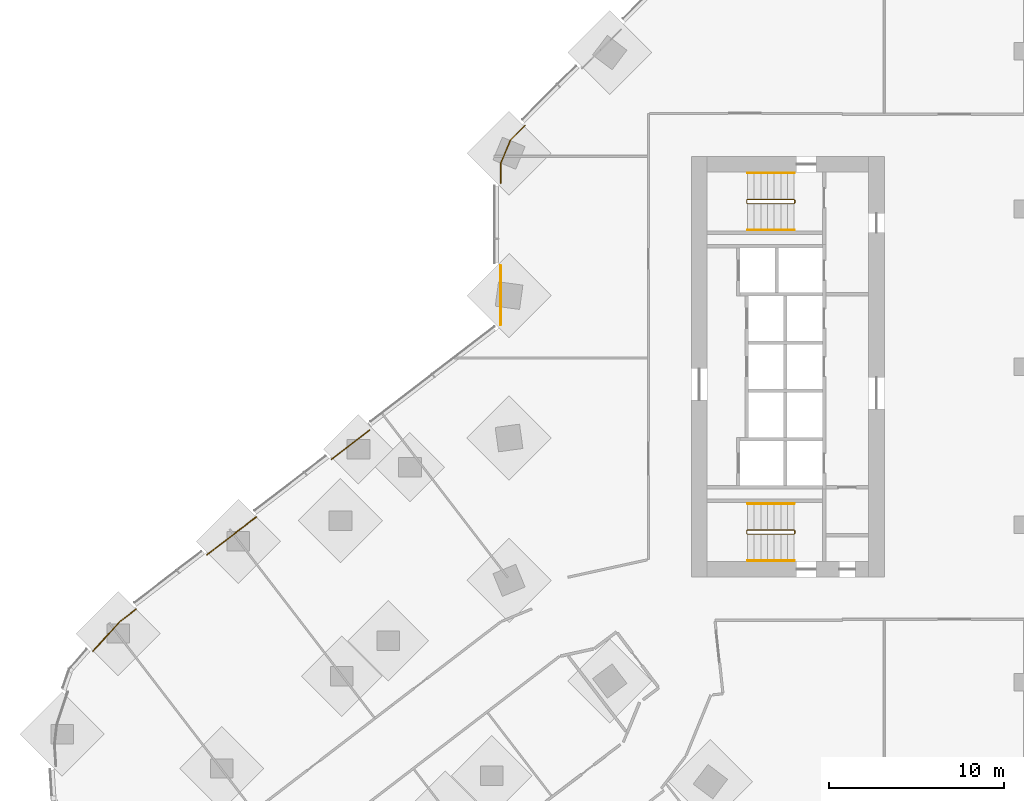
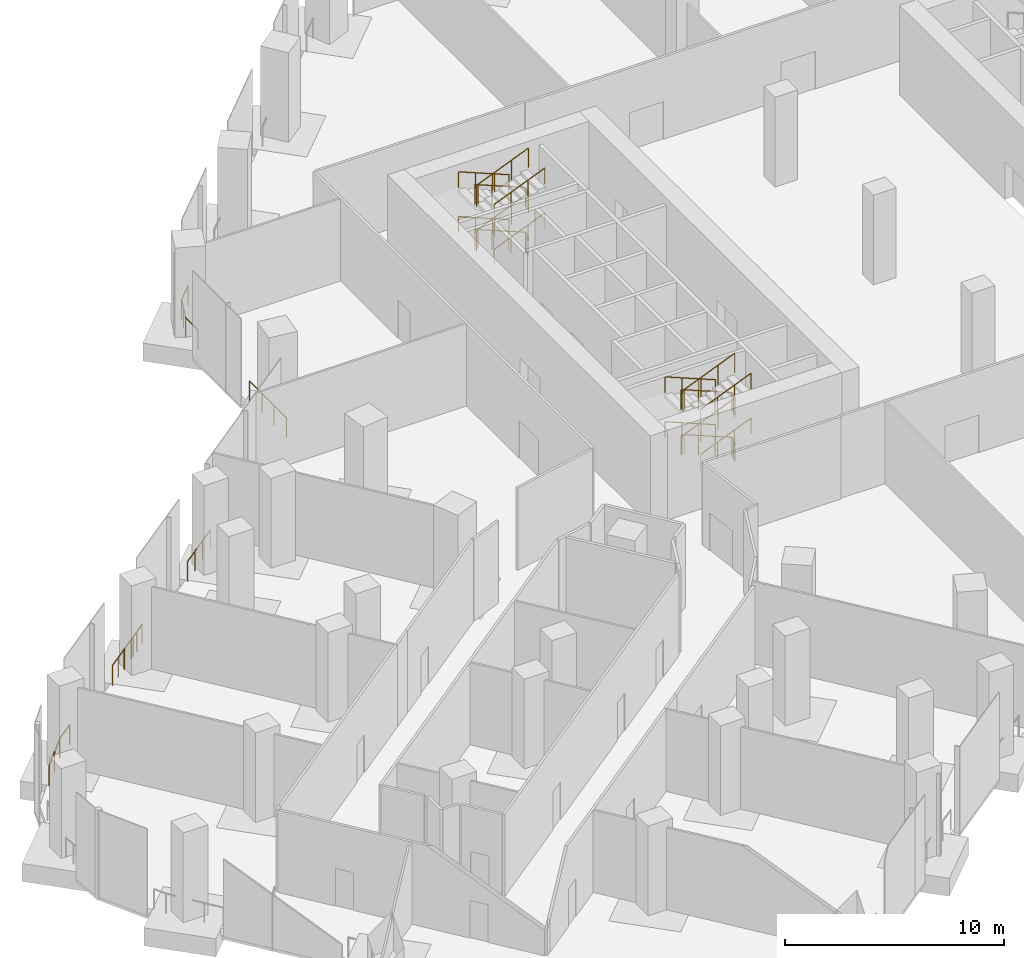
# One storey, part 25 of 27: 18 railings.
"""IFC4 building model written with IfcOpenShell, lengths in metres."""

from ifc_helpers import new_model, si_unit, direction, frame, origin, origin_2d, place, context, subcontext, project, spatial, circle, extrude, material, type_object, element, save


model = new_model("IFC4")

# Units and contexts
model_context = context("Model", 3, precision=1e-05, world=origin(), true_north=direction((0.0, 1.0)))
body_context = subcontext(model_context, "Body", "Model", "MODEL_VIEW")
ifc_project = project(units=[si_unit("LENGTHUNIT", "METRE"), si_unit("AREAUNIT", "SQUARE_METRE"), si_unit("VOLUMEUNIT", "CUBIC_METRE"), si_unit("PLANEANGLEUNIT", "RADIAN"), si_unit("MASSUNIT", "GRAM", prefix="KILO")], contexts=[model_context])

# Site, building, storey
site_placement = place(None, origin())
site = spatial("IfcSite", under=ifc_project, at=site_placement, CompositionType="ELEMENT")
building_placement = place(site_placement, origin())
building = spatial("IfcBuilding", under=site, at=building_placement, Name="Orlundy Tower", CompositionType="ELEMENT")
storey_placement = place(building_placement, frame((0.0, 0.0, 10.5)))
storey = spatial("IfcBuildingStorey", under=building, at=storey_placement, Name="L01", CompositionType="ELEMENT", Elevation=10.5)

# Railings
ifc_material_1 = material(Name="Steel balustrade", Category="steel")
railing_type_1 = type_object("IfcRailingType", Name="Stair Guard 1100", PredefinedType="GUARDRAIL", material=ifc_material_1)
railing_1_placement = place(storey_placement, frame((-13.090087890625, 9.5, 0.0)))
element("IfcRailing", 1, at=railing_1_placement, inside=storey, type_object=railing_type_1, Name="L01 ST-W1 stair guard 1", PredefinedType="GUARDRAIL", context=body_context, shape_type="SweptSolid", body=[
    extrude(circle(Radius=0.02392578125, at=origin_2d()), frame((0.0, 0.0, 1.076171875), z_axis=(0.0, -1.0, 0.0), x_axis=(1.0, 0.0, 0.0)), (0.0, 0.0, 1.0), 0.14990234375),
    extrude(circle(Radius=0.02392578125, at=origin_2d()), frame((0.0, -0.14990234375, 1.076171875), z_axis=(-0.192591976565, 0.773200141208, 0.604210122556), x_axis=(-0.970351222016, -0.241699205484, 0.0)), (0.0, 0.0, 1.0), 0.258544921875),
    extrude(circle(Radius=0.02392578125, at=origin_2d()), frame((-0.0498046875, 0.050048828125, 1.232421875), z_axis=(-0.924874861033, 0.0, 0.380271602187), x_axis=(0.0, -1.0, 0.0)), (0.0, 0.0, 1.0), 2.876220703125),
    extrude(circle(Radius=0.02392578125, at=origin_2d()), frame((-2.7099609375, 0.050048828125, 2.326171875), z_axis=(-0.707106781187, -0.707106781187, 0.0), x_axis=(0.707106781187, -0.707106781187, 0.0)), (0.0, 0.0, 1.0), 0.07080078125),
    extrude(circle(Radius=0.02392578125, at=origin_2d()), frame((-2.760009765625, 0.0, 2.326171875), z_axis=(0.0, -1.0, 0.0), x_axis=(1.0, 0.0, 0.0)), (0.0, 0.0, 1.0), 0.14990234375),
    extrude(circle(Radius=0.02392578125, at=origin_2d()), frame((-2.760009765625, -0.14990234375, 2.326171875), z_axis=(0.29177245553, -0.29177245553, 0.91089937336), x_axis=(0.707106781187, 0.707106781187, 0.0)), (0.0, 0.0, 1.0), 0.171630859375),
    extrude(circle(Radius=0.02392578125, at=origin_2d()), frame((-2.7099609375, -0.199951171875, 2.482421875), z_axis=(0.924874861033, 0.0, 0.380271602187), x_axis=(0.0, 1.0, 0.0)), (0.0, 0.0, 1.0), 2.876220703125),
    extrude(circle(Radius=0.02392578125, at=origin_2d()), frame((-0.0498046875, -0.199951171875, 3.576171875), z_axis=(0.241699205484, 0.970351222016, 0.0), x_axis=(-0.970351222016, 0.241699205484, 0.0)), (0.0, 0.0, 1.0), 0.2060546875),
    extrude(circle(Radius=0.02392578125, at=origin_2d()), frame((0.0, 0.0, 3.576171875), z_axis=(0.0, -1.0, 0.0), x_axis=(1.0, 0.0, 0.0)), (0.0, 0.0, 1.0), 0.14990234375),
    extrude(circle(Radius=0.02392578125, at=origin_2d()), frame((0.0, -0.14990234375, 3.576171875), z_axis=(-0.192591976565, 0.773200141208, 0.604210122556), x_axis=(-0.970351222016, -0.241699205484, 0.0)), (0.0, 0.0, 1.0), 0.258544921875),
    extrude(circle(Radius=0.02392578125, at=origin_2d()), frame((-0.0498046875, 0.050048828125, 3.732421875), z_axis=(-0.924874861033, 0.0, 0.380271602187), x_axis=(0.0, -1.0, 0.0)), (0.0, 0.0, 1.0), 2.876220703125),
    extrude(circle(Radius=0.02392578125, at=origin_2d()), frame((-2.7099609375, 0.050048828125, 4.826171875), z_axis=(-0.707106781187, -0.707106781187, 0.0), x_axis=(0.707106781187, -0.707106781187, 0.0)), (0.0, 0.0, 1.0), 0.07080078125),
    extrude(circle(Radius=0.02392578125, at=origin_2d()), frame((-2.760009765625, 0.0, 4.826171875), z_axis=(0.0, -1.0, 0.0), x_axis=(1.0, 0.0, 0.0)), (0.0, 0.0, 1.0), 0.14990234375),
    extrude(circle(Radius=0.02392578125, at=origin_2d()), frame((-2.760009765625, -0.14990234375, 4.826171875), z_axis=(0.29177245553, -0.29177245553, 0.91089937336), x_axis=(0.707106781187, 0.707106781187, 0.0)), (0.0, 0.0, 1.0), 0.171630859375),
    extrude(circle(Radius=0.02392578125, at=origin_2d()), frame((-2.7099609375, -0.199951171875, 4.982421875), z_axis=(0.924874861033, 0.0, 0.380271602187), x_axis=(0.0, 1.0, 0.0)), (0.0, 0.0, 1.0), 2.876220703125),
    extrude(circle(Radius=0.02099609375, at=origin_2d()), origin(), (0.0, 0.0, 1.0), 1.052001953125),
    extrude(circle(Radius=0.02099609375, at=origin_2d()), frame((0.0, -0.14990234375, 0.0)), (0.0, 0.0, 1.0), 1.052001953125),
    extrude(circle(Radius=0.02099609375, at=origin_2d()), frame((-0.0498046875, 0.050048828125, 0.15625)), (0.0, 0.0, 1.0), 1.052001953125),
    extrude(circle(Radius=0.02099609375, at=origin_2d()), frame((-0.9365234375, 0.050048828125, 0.520751953125)), (0.0, 0.0, 1.0), 1.052001953125),
    extrude(circle(Radius=0.02099609375, at=origin_2d()), frame((-1.8232421875, 0.050048828125, 0.885498046875)), (0.0, 0.0, 1.0), 1.052001953125),
    extrude(circle(Radius=0.02099609375, at=origin_2d()), frame((-2.7099609375, 0.050048828125, 1.25)), (0.0, 0.0, 1.0), 1.052001953125),
    extrude(circle(Radius=0.02099609375, at=origin_2d()), frame((-2.760009765625, 0.0, 1.25)), (0.0, 0.0, 1.0), 1.052001953125),
    extrude(circle(Radius=0.02099609375, at=origin_2d()), frame((-2.760009765625, -0.14990234375, 1.25)), (0.0, 0.0, 1.0), 1.052001953125),
    extrude(circle(Radius=0.02099609375, at=origin_2d()), frame((-2.7099609375, -0.199951171875, 1.40625)), (0.0, 0.0, 1.0), 1.052001953125),
    extrude(circle(Radius=0.02099609375, at=origin_2d()), frame((-1.8232421875, -0.199951171875, 1.770751953125)), (0.0, 0.0, 1.0), 1.052001953125),
    extrude(circle(Radius=0.02099609375, at=origin_2d()), frame((-0.9365234375, -0.199951171875, 2.135498046875)), (0.0, 0.0, 1.0), 1.052001953125),
    extrude(circle(Radius=0.02099609375, at=origin_2d()), frame((-0.0498046875, -0.199951171875, 2.5)), (0.0, 0.0, 1.0), 1.052001953125),
    extrude(circle(Radius=0.02099609375, at=origin_2d()), frame((0.0, 0.0, 2.5)), (0.0, 0.0, 1.0), 1.052001953125),
    extrude(circle(Radius=0.02099609375, at=origin_2d()), frame((0.0, -0.14990234375, 2.5)), (0.0, 0.0, 1.0), 1.052001953125),
    extrude(circle(Radius=0.02099609375, at=origin_2d()), frame((-0.0498046875, 0.050048828125, 2.65625)), (0.0, 0.0, 1.0), 1.052001953125),
    extrude(circle(Radius=0.02099609375, at=origin_2d()), frame((-0.9365234375, 0.050048828125, 3.020751953125)), (0.0, 0.0, 1.0), 1.052001953125),
    extrude(circle(Radius=0.02099609375, at=origin_2d()), frame((-1.8232421875, 0.050048828125, 3.385498046875)), (0.0, 0.0, 1.0), 1.052001953125),
    extrude(circle(Radius=0.02099609375, at=origin_2d()), frame((-2.7099609375, 0.050048828125, 3.75)), (0.0, 0.0, 1.0), 1.052001953125),
    extrude(circle(Radius=0.02099609375, at=origin_2d()), frame((-2.760009765625, 0.0, 3.75)), (0.0, 0.0, 1.0), 1.052001953125),
    extrude(circle(Radius=0.02099609375, at=origin_2d()), frame((-2.760009765625, -0.14990234375, 3.75)), (0.0, 0.0, 1.0), 1.052001953125),
    extrude(circle(Radius=0.02099609375, at=origin_2d()), frame((-2.7099609375, -0.199951171875, 3.90625)), (0.0, 0.0, 1.0), 1.052001953125),
    extrude(circle(Radius=0.02099609375, at=origin_2d()), frame((-1.8232421875, -0.199951171875, 4.270751953125)), (0.0, 0.0, 1.0), 1.052001953125),
    extrude(circle(Radius=0.02099609375, at=origin_2d()), frame((-0.9365234375, -0.199951171875, 4.635498046875)), (0.0, 0.0, 1.0), 1.052001953125),
    extrude(circle(Radius=0.02099609375, at=origin_2d()), frame((-0.0498046875, -0.199951171875, 5.0)), (0.0, 0.0, 1.0), 1.052001953125),
])
railing_2_placement = place(storey_placement, frame((-13.090087890625, -9.35009765625, 0.0)))
element("IfcRailing", 2, at=railing_2_placement, inside=storey, type_object=railing_type_1, Name="L01 ST-W2 stair guard 1", PredefinedType="GUARDRAIL", context=body_context, shape_type="SweptSolid", body=[
    extrude(circle(Radius=0.02392578125, at=origin_2d()), frame((0.0, 0.0, 1.076171875), z_axis=(0.0, -1.0, 0.0), x_axis=(1.0, 0.0, 0.0)), (0.0, 0.0, 1.0), 0.14990234375),
    extrude(circle(Radius=0.02392578125, at=origin_2d()), frame((0.0, -0.14990234375, 1.076171875), z_axis=(-0.192591976565, 0.773200141208, 0.604210122556), x_axis=(-0.970351222016, -0.241699205484, 0.0)), (0.0, 0.0, 1.0), 0.258544921875),
    extrude(circle(Radius=0.02392578125, at=origin_2d()), frame((-0.0498046875, 0.050048828125, 1.232421875), z_axis=(-0.924874861033, 0.0, 0.380271602187), x_axis=(0.0, -1.0, 0.0)), (0.0, 0.0, 1.0), 2.876220703125),
    extrude(circle(Radius=0.02392578125, at=origin_2d()), frame((-2.7099609375, 0.050048828125, 2.326171875), z_axis=(-0.707106781187, -0.707106781187, 0.0), x_axis=(0.707106781187, -0.707106781187, 0.0)), (0.0, 0.0, 1.0), 0.07080078125),
    extrude(circle(Radius=0.02392578125, at=origin_2d()), frame((-2.760009765625, 0.0, 2.326171875), z_axis=(0.0, -1.0, 0.0), x_axis=(1.0, 0.0, 0.0)), (0.0, 0.0, 1.0), 0.14990234375),
    extrude(circle(Radius=0.02392578125, at=origin_2d()), frame((-2.760009765625, -0.14990234375, 2.326171875), z_axis=(0.29177245553, -0.29177245553, 0.91089937336), x_axis=(0.707106781187, 0.707106781187, 0.0)), (0.0, 0.0, 1.0), 0.171630859375),
    extrude(circle(Radius=0.02392578125, at=origin_2d()), frame((-2.7099609375, -0.199951171875, 2.482421875), z_axis=(0.924874861033, 0.0, 0.380271602187), x_axis=(0.0, 1.0, 0.0)), (0.0, 0.0, 1.0), 2.876220703125),
    extrude(circle(Radius=0.02392578125, at=origin_2d()), frame((-0.0498046875, -0.199951171875, 3.576171875), z_axis=(0.241699205484, 0.970351222016, 0.0), x_axis=(-0.970351222016, 0.241699205484, 0.0)), (0.0, 0.0, 1.0), 0.2060546875),
    extrude(circle(Radius=0.02392578125, at=origin_2d()), frame((0.0, 0.0, 3.576171875), z_axis=(0.0, -1.0, 0.0), x_axis=(1.0, 0.0, 0.0)), (0.0, 0.0, 1.0), 0.14990234375),
    extrude(circle(Radius=0.02392578125, at=origin_2d()), frame((0.0, -0.14990234375, 3.576171875), z_axis=(-0.192591976565, 0.773200141208, 0.604210122556), x_axis=(-0.970351222016, -0.241699205484, 0.0)), (0.0, 0.0, 1.0), 0.258544921875),
    extrude(circle(Radius=0.02392578125, at=origin_2d()), frame((-0.0498046875, 0.050048828125, 3.732421875), z_axis=(-0.924874861033, 0.0, 0.380271602187), x_axis=(0.0, -1.0, 0.0)), (0.0, 0.0, 1.0), 2.876220703125),
    extrude(circle(Radius=0.02392578125, at=origin_2d()), frame((-2.7099609375, 0.050048828125, 4.826171875), z_axis=(-0.707106781187, -0.707106781187, 0.0), x_axis=(0.707106781187, -0.707106781187, 0.0)), (0.0, 0.0, 1.0), 0.07080078125),
    extrude(circle(Radius=0.02392578125, at=origin_2d()), frame((-2.760009765625, 0.0, 4.826171875), z_axis=(0.0, -1.0, 0.0), x_axis=(1.0, 0.0, 0.0)), (0.0, 0.0, 1.0), 0.14990234375),
    extrude(circle(Radius=0.02392578125, at=origin_2d()), frame((-2.760009765625, -0.14990234375, 4.826171875), z_axis=(0.29177245553, -0.29177245553, 0.91089937336), x_axis=(0.707106781187, 0.707106781187, 0.0)), (0.0, 0.0, 1.0), 0.171630859375),
    extrude(circle(Radius=0.02392578125, at=origin_2d()), frame((-2.7099609375, -0.199951171875, 4.982421875), z_axis=(0.924874861033, 0.0, 0.380271602187), x_axis=(0.0, 1.0, 0.0)), (0.0, 0.0, 1.0), 2.876220703125),
    extrude(circle(Radius=0.02099609375, at=origin_2d()), origin(), (0.0, 0.0, 1.0), 1.052001953125),
    extrude(circle(Radius=0.02099609375, at=origin_2d()), frame((0.0, -0.14990234375, 0.0)), (0.0, 0.0, 1.0), 1.052001953125),
    extrude(circle(Radius=0.02099609375, at=origin_2d()), frame((-0.0498046875, 0.050048828125, 0.15625)), (0.0, 0.0, 1.0), 1.052001953125),
    extrude(circle(Radius=0.02099609375, at=origin_2d()), frame((-0.9365234375, 0.050048828125, 0.520751953125)), (0.0, 0.0, 1.0), 1.052001953125),
    extrude(circle(Radius=0.02099609375, at=origin_2d()), frame((-1.8232421875, 0.050048828125, 0.885498046875)), (0.0, 0.0, 1.0), 1.052001953125),
    extrude(circle(Radius=0.02099609375, at=origin_2d()), frame((-2.7099609375, 0.050048828125, 1.25)), (0.0, 0.0, 1.0), 1.052001953125),
    extrude(circle(Radius=0.02099609375, at=origin_2d()), frame((-2.760009765625, 0.0, 1.25)), (0.0, 0.0, 1.0), 1.052001953125),
    extrude(circle(Radius=0.02099609375, at=origin_2d()), frame((-2.760009765625, -0.14990234375, 1.25)), (0.0, 0.0, 1.0), 1.052001953125),
    extrude(circle(Radius=0.02099609375, at=origin_2d()), frame((-2.7099609375, -0.199951171875, 1.40625)), (0.0, 0.0, 1.0), 1.052001953125),
    extrude(circle(Radius=0.02099609375, at=origin_2d()), frame((-1.8232421875, -0.199951171875, 1.770751953125)), (0.0, 0.0, 1.0), 1.052001953125),
    extrude(circle(Radius=0.02099609375, at=origin_2d()), frame((-0.9365234375, -0.199951171875, 2.135498046875)), (0.0, 0.0, 1.0), 1.052001953125),
    extrude(circle(Radius=0.02099609375, at=origin_2d()), frame((-0.0498046875, -0.199951171875, 2.5)), (0.0, 0.0, 1.0), 1.052001953125),
    extrude(circle(Radius=0.02099609375, at=origin_2d()), frame((0.0, 0.0, 2.5)), (0.0, 0.0, 1.0), 1.052001953125),
    extrude(circle(Radius=0.02099609375, at=origin_2d()), frame((0.0, -0.14990234375, 2.5)), (0.0, 0.0, 1.0), 1.052001953125),
    extrude(circle(Radius=0.02099609375, at=origin_2d()), frame((-0.0498046875, 0.050048828125, 2.65625)), (0.0, 0.0, 1.0), 1.052001953125),
    extrude(circle(Radius=0.02099609375, at=origin_2d()), frame((-0.9365234375, 0.050048828125, 3.020751953125)), (0.0, 0.0, 1.0), 1.052001953125),
    extrude(circle(Radius=0.02099609375, at=origin_2d()), frame((-1.8232421875, 0.050048828125, 3.385498046875)), (0.0, 0.0, 1.0), 1.052001953125),
    extrude(circle(Radius=0.02099609375, at=origin_2d()), frame((-2.7099609375, 0.050048828125, 3.75)), (0.0, 0.0, 1.0), 1.052001953125),
    extrude(circle(Radius=0.02099609375, at=origin_2d()), frame((-2.760009765625, 0.0, 3.75)), (0.0, 0.0, 1.0), 1.052001953125),
    extrude(circle(Radius=0.02099609375, at=origin_2d()), frame((-2.760009765625, -0.14990234375, 3.75)), (0.0, 0.0, 1.0), 1.052001953125),
    extrude(circle(Radius=0.02099609375, at=origin_2d()), frame((-2.7099609375, -0.199951171875, 3.90625)), (0.0, 0.0, 1.0), 1.052001953125),
    extrude(circle(Radius=0.02099609375, at=origin_2d()), frame((-1.8232421875, -0.199951171875, 4.270751953125)), (0.0, 0.0, 1.0), 1.052001953125),
    extrude(circle(Radius=0.02099609375, at=origin_2d()), frame((-0.9365234375, -0.199951171875, 4.635498046875)), (0.0, 0.0, 1.0), 1.052001953125),
    extrude(circle(Radius=0.02099609375, at=origin_2d()), frame((-0.0498046875, -0.199951171875, 5.0)), (0.0, 0.0, 1.0), 1.052001953125),
])
ifc_material_2 = material(Name="Steel handrail", Category="steel")
railing_type_2 = type_object("IfcRailingType", Name="Stair Handrail 900", PredefinedType="HANDRAIL", material=ifc_material_2)
railing_3_placement = place(storey_placement, frame((-13.139892578125, 11.050048828125, 0.15625)))
element("IfcRailing", 3, at=railing_3_placement, inside=storey, type_object=railing_type_2, Name="L01 ST-W1 stair handrail 1", PredefinedType="HANDRAIL", context=body_context, shape_type="SweptSolid", body=[
    extrude(circle(Radius=0.02392578125, at=origin_2d()), frame((0.0, 0.0, 0.8759765625), z_axis=(-0.924874861033, 0.0, 0.380271602187), x_axis=(0.0, -1.0, 0.0)), (0.0, 0.0, 1.0), 2.876220703125),
    extrude(circle(Radius=0.02099609375, at=origin_2d()), origin(), (0.0, 0.0, 1.0), 0.851806640625),
    extrude(circle(Radius=0.02099609375, at=origin_2d()), frame((-0.88671875, 0.0, 0.364501953125)), (0.0, 0.0, 1.0), 0.851806640625),
    extrude(circle(Radius=0.02099609375, at=origin_2d()), frame((-1.7734375, 0.0, 0.729248046875)), (0.0, 0.0, 1.0), 0.851806640625),
    extrude(circle(Radius=0.02099609375, at=origin_2d()), frame((-2.66015625, 0.0, 1.09375)), (0.0, 0.0, 1.0), 0.851806640625),
])
railing_4_placement = place(storey_placement, frame((-15.800048828125, 7.800048828125, 1.40625)))
element("IfcRailing", 4, at=railing_4_placement, inside=storey, type_object=railing_type_2, Name="L01 ST-W1 stair handrail 2", PredefinedType="HANDRAIL", context=body_context, shape_type="SweptSolid", body=[
    extrude(circle(Radius=0.02392578125, at=origin_2d()), frame((0.0, 0.0, 0.8759765625), z_axis=(0.924874861033, 0.0, 0.380271602187), x_axis=(0.0, 1.0, 0.0)), (0.0, 0.0, 1.0), 2.876220703125),
    extrude(circle(Radius=0.02099609375, at=origin_2d()), origin(), (0.0, 0.0, 1.0), 0.851806640625),
    extrude(circle(Radius=0.02099609375, at=origin_2d()), frame((0.88671875, 0.0, 0.364501953125)), (0.0, 0.0, 1.0), 0.851806640625),
    extrude(circle(Radius=0.02099609375, at=origin_2d()), frame((1.7734375, 0.0, 0.729248046875)), (0.0, 0.0, 1.0), 0.851806640625),
    extrude(circle(Radius=0.02099609375, at=origin_2d()), frame((2.66015625, 0.0, 1.09375)), (0.0, 0.0, 1.0), 0.851806640625),
])
railing_5_placement = place(storey_placement, frame((-13.139892578125, 11.050048828125, 2.65625)))
element("IfcRailing", 5, at=railing_5_placement, inside=storey, type_object=railing_type_2, Name="L01 ST-W1 stair handrail 3", PredefinedType="HANDRAIL", context=body_context, shape_type="SweptSolid", body=[
    extrude(circle(Radius=0.02392578125, at=origin_2d()), frame((0.0, 0.0, 0.8759765625), z_axis=(-0.924874861033, 0.0, 0.380271602187), x_axis=(0.0, -1.0, 0.0)), (0.0, 0.0, 1.0), 2.876220703125),
    extrude(circle(Radius=0.02099609375, at=origin_2d()), origin(), (0.0, 0.0, 1.0), 0.851806640625),
    extrude(circle(Radius=0.02099609375, at=origin_2d()), frame((-0.88671875, 0.0, 0.364501953125)), (0.0, 0.0, 1.0), 0.851806640625),
    extrude(circle(Radius=0.02099609375, at=origin_2d()), frame((-1.7734375, 0.0, 0.729248046875)), (0.0, 0.0, 1.0), 0.851806640625),
    extrude(circle(Radius=0.02099609375, at=origin_2d()), frame((-2.66015625, 0.0, 1.09375)), (0.0, 0.0, 1.0), 0.851806640625),
])
railing_6_placement = place(storey_placement, frame((-15.800048828125, 7.800048828125, 3.90625)))
element("IfcRailing", 6, at=railing_6_placement, inside=storey, type_object=railing_type_2, Name="L01 ST-W1 stair handrail 4", PredefinedType="HANDRAIL", context=body_context, shape_type="SweptSolid", body=[
    extrude(circle(Radius=0.02392578125, at=origin_2d()), frame((0.0, 0.0, 0.8759765625), z_axis=(0.924874861033, 0.0, 0.380271602187), x_axis=(0.0, 1.0, 0.0)), (0.0, 0.0, 1.0), 2.876220703125),
    extrude(circle(Radius=0.02099609375, at=origin_2d()), origin(), (0.0, 0.0, 1.0), 0.851806640625),
    extrude(circle(Radius=0.02099609375, at=origin_2d()), frame((0.88671875, 0.0, 0.364501953125)), (0.0, 0.0, 1.0), 0.851806640625),
    extrude(circle(Radius=0.02099609375, at=origin_2d()), frame((1.7734375, 0.0, 0.729248046875)), (0.0, 0.0, 1.0), 0.851806640625),
    extrude(circle(Radius=0.02099609375, at=origin_2d()), frame((2.66015625, 0.0, 1.09375)), (0.0, 0.0, 1.0), 0.851806640625),
])
railing_7_placement = place(storey_placement, frame((-13.139892578125, -7.800048828125, 0.15625)))
element("IfcRailing", 7, at=railing_7_placement, inside=storey, type_object=railing_type_2, Name="L01 ST-W2 stair handrail 1", PredefinedType="HANDRAIL", context=body_context, shape_type="SweptSolid", body=[
    extrude(circle(Radius=0.02392578125, at=origin_2d()), frame((0.0, 0.0, 0.8759765625), z_axis=(-0.924874861033, 0.0, 0.380271602187), x_axis=(0.0, -1.0, 0.0)), (0.0, 0.0, 1.0), 2.876220703125),
    extrude(circle(Radius=0.02099609375, at=origin_2d()), origin(), (0.0, 0.0, 1.0), 0.851806640625),
    extrude(circle(Radius=0.02099609375, at=origin_2d()), frame((-0.88671875, 0.0, 0.364501953125)), (0.0, 0.0, 1.0), 0.851806640625),
    extrude(circle(Radius=0.02099609375, at=origin_2d()), frame((-1.7734375, 0.0, 0.729248046875)), (0.0, 0.0, 1.0), 0.851806640625),
    extrude(circle(Radius=0.02099609375, at=origin_2d()), frame((-2.66015625, 0.0, 1.09375)), (0.0, 0.0, 1.0), 0.851806640625),
])
railing_8_placement = place(storey_placement, frame((-15.800048828125, -11.050048828125, 1.40625)))
element("IfcRailing", 8, at=railing_8_placement, inside=storey, type_object=railing_type_2, Name="L01 ST-W2 stair handrail 2", PredefinedType="HANDRAIL", context=body_context, shape_type="SweptSolid", body=[
    extrude(circle(Radius=0.02392578125, at=origin_2d()), frame((0.0, 0.0, 0.8759765625), z_axis=(0.924874861033, 0.0, 0.380271602187), x_axis=(0.0, 1.0, 0.0)), (0.0, 0.0, 1.0), 2.876220703125),
    extrude(circle(Radius=0.02099609375, at=origin_2d()), origin(), (0.0, 0.0, 1.0), 0.851806640625),
    extrude(circle(Radius=0.02099609375, at=origin_2d()), frame((0.88671875, 0.0, 0.364501953125)), (0.0, 0.0, 1.0), 0.851806640625),
    extrude(circle(Radius=0.02099609375, at=origin_2d()), frame((1.7734375, 0.0, 0.729248046875)), (0.0, 0.0, 1.0), 0.851806640625),
    extrude(circle(Radius=0.02099609375, at=origin_2d()), frame((2.66015625, 0.0, 1.09375)), (0.0, 0.0, 1.0), 0.851806640625),
])
railing_9_placement = place(storey_placement, frame((-13.139892578125, -7.800048828125, 2.65625)))
element("IfcRailing", 9, at=railing_9_placement, inside=storey, type_object=railing_type_2, Name="L01 ST-W2 stair handrail 3", PredefinedType="HANDRAIL", context=body_context, shape_type="SweptSolid", body=[
    extrude(circle(Radius=0.02392578125, at=origin_2d()), frame((0.0, 0.0, 0.8759765625), z_axis=(-0.924874861033, 0.0, 0.380271602187), x_axis=(0.0, -1.0, 0.0)), (0.0, 0.0, 1.0), 2.876220703125),
    extrude(circle(Radius=0.02099609375, at=origin_2d()), origin(), (0.0, 0.0, 1.0), 0.851806640625),
    extrude(circle(Radius=0.02099609375, at=origin_2d()), frame((-0.88671875, 0.0, 0.364501953125)), (0.0, 0.0, 1.0), 0.851806640625),
    extrude(circle(Radius=0.02099609375, at=origin_2d()), frame((-1.7734375, 0.0, 0.729248046875)), (0.0, 0.0, 1.0), 0.851806640625),
    extrude(circle(Radius=0.02099609375, at=origin_2d()), frame((-2.66015625, 0.0, 1.09375)), (0.0, 0.0, 1.0), 0.851806640625),
])
railing_10_placement = place(storey_placement, frame((-15.800048828125, -11.050048828125, 3.90625)))
element("IfcRailing", 10, at=railing_10_placement, inside=storey, type_object=railing_type_2, Name="L01 ST-W2 stair handrail 4", PredefinedType="HANDRAIL", context=body_context, shape_type="SweptSolid", body=[
    extrude(circle(Radius=0.02392578125, at=origin_2d()), frame((0.0, 0.0, 0.8759765625), z_axis=(0.924874861033, 0.0, 0.380271602187), x_axis=(0.0, 1.0, 0.0)), (0.0, 0.0, 1.0), 2.876220703125),
    extrude(circle(Radius=0.02099609375, at=origin_2d()), origin(), (0.0, 0.0, 1.0), 0.851806640625),
    extrude(circle(Radius=0.02099609375, at=origin_2d()), frame((0.88671875, 0.0, 0.364501953125)), (0.0, 0.0, 1.0), 0.851806640625),
    extrude(circle(Radius=0.02099609375, at=origin_2d()), frame((1.7734375, 0.0, 0.729248046875)), (0.0, 0.0, 1.0), 0.851806640625),
    extrude(circle(Radius=0.02099609375, at=origin_2d()), frame((2.66015625, 0.0, 1.09375)), (0.0, 0.0, 1.0), 0.851806640625),
])
ifc_material_3 = material(Name="Stainless steel bronze finish", Category="steel")
railing_type_3 = type_object("IfcRailingType", Name="TG1 terrace guard", PredefinedType="GUARDRAIL", material=ifc_material_3)
railing_11_placement = place(storey_placement, frame((-29.8798828125, 10.471923828125, 0.0)))
element("IfcRailing", 11, at=railing_11_placement, inside=storey, type_object=railing_type_3, Name="Guard TG-L01-E05", PredefinedType="GUARDRAIL", context=body_context, shape_type="SweptSolid", body=[
    extrude(circle(Radius=0.02490234375, at=origin_2d()), frame((0.0, 0.0, 1.09521484375), z_axis=(0.0, 1.0, 0.0), x_axis=(-1.0, 0.0, 0.0)), (0.0, 0.0, 1.0), 1.11474609375),
    extrude(circle(Radius=0.02490234375, at=origin_2d()), frame((0.0, 1.11474609375, 1.09521484375), z_axis=(0.382952374943, 0.923768086981, 0.0), x_axis=(-0.923768086981, 0.382952374943, 0.0)), (0.0, 0.0, 1.0), 1.4599609375),
    extrude(circle(Radius=0.02490234375, at=origin_2d()), frame((0.55908203125, 2.46337890625, 1.09521484375), z_axis=(0.707001408, 0.707212138673, 0.0), x_axis=(-0.707212138673, 0.707001408, 0.0)), (0.0, 0.0, 1.0), 1.158447265625),
    extrude(circle(Radius=0.02001953125, at=origin_2d()), origin(), (0.0, 0.0, 1.0), 1.070068359375),
    extrude(circle(Radius=0.02001953125, at=origin_2d()), frame((0.0, 1.11474609375, 0.0)), (0.0, 0.0, 1.0), 1.070068359375),
    extrude(circle(Radius=0.02001953125, at=origin_2d()), frame((0.279541015625, 1.7890625, 0.0)), (0.0, 0.0, 1.0), 1.070068359375),
    extrude(circle(Radius=0.02001953125, at=origin_2d()), frame((0.55908203125, 2.46337890625, 0.0)), (0.0, 0.0, 1.0), 1.070068359375),
    extrude(circle(Radius=0.02001953125, at=origin_2d()), frame((1.378173828125, 3.28271484375, 0.0)), (0.0, 0.0, 1.0), 1.070068359375),
])
railing_12_placement = place(storey_placement, frame((-53.1259765625, -16.216064453125, 0.0)))
element("IfcRailing", 12, at=railing_12_placement, inside=storey, type_object=railing_type_3, Name="Guard TG-L01-E022", PredefinedType="GUARDRAIL", context=body_context, shape_type="SweptSolid", body=[
    extrude(circle(Radius=0.02490234375, at=origin_2d()), frame((0.0, 0.0, 1.09521484375), z_axis=(0.671454426558, 0.741045850845, 0.0), x_axis=(-0.741045850845, 0.671454426558, 0.0)), (0.0, 0.0, 1.0), 2.255859375),
    extrude(circle(Radius=0.02490234375, at=origin_2d()), frame((1.5146484375, 1.671630859375, 1.09521484375), z_axis=(0.793454460627, 0.608629623754, 0.0), x_axis=(-0.608629623754, 0.793454460627, 0.0)), (0.0, 0.0, 1.0), 1.190185546875),
    extrude(circle(Radius=0.02001953125, at=origin_2d()), origin(), (0.0, 0.0, 1.0), 1.070068359375),
    extrude(circle(Radius=0.02001953125, at=origin_2d()), frame((0.75732421875, 0.8359375, 0.0)), (0.0, 0.0, 1.0), 1.070068359375),
    extrude(circle(Radius=0.02001953125, at=origin_2d()), frame((1.5146484375, 1.671630859375, 0.0)), (0.0, 0.0, 1.0), 1.070068359375),
    extrude(circle(Radius=0.02001953125, at=origin_2d()), frame((2.458984375, 2.39599609375, 0.0)), (0.0, 0.0, 1.0), 1.070068359375),
])
railing_13_placement = place(storey_placement, frame((-29.8798828125, 2.389892578125, 0.0)))
element("IfcRailing", 13, at=railing_13_placement, inside=storey, type_object=railing_type_3, Name="Guard TG-L01-E024", PredefinedType="GUARDRAIL", context=body_context, shape_type="SweptSolid", body=[
    extrude(circle(Radius=0.02490234375, at=origin_2d()), frame((0.0, 0.0, 1.09521484375), z_axis=(0.0, 1.0, 0.0), x_axis=(-1.0, 0.0, 0.0)), (0.0, 0.0, 1.0), 3.375),
    extrude(circle(Radius=0.02001953125, at=origin_2d()), origin(), (0.0, 0.0, 1.0), 1.070068359375),
    extrude(circle(Radius=0.02001953125, at=origin_2d()), frame((0.0, 1.125, 0.0)), (0.0, 0.0, 1.0), 1.070068359375),
    extrude(circle(Radius=0.02001953125, at=origin_2d()), frame((0.0, 2.25, 0.0)), (0.0, 0.0, 1.0), 1.070068359375),
    extrude(circle(Radius=0.02001953125, at=origin_2d()), frame((0.0, 3.375, 0.0)), (0.0, 0.0, 1.0), 1.070068359375),
])
railing_14_placement = place(storey_placement, frame((-39.53125, -5.27490234375, 0.0)))
element("IfcRailing", 14, at=railing_14_placement, inside=storey, type_object=railing_type_3, Name="Guard TG-L01-E031", PredefinedType="GUARDRAIL", context=body_context, shape_type="SweptSolid", body=[
    extrude(circle(Radius=0.02490234375, at=origin_2d()), frame((0.0, 0.0, 1.09521484375), z_axis=(0.79335857279, 0.608754609823, 0.0), x_axis=(-0.608754609823, 0.79335857279, 0.0)), (0.0, 0.0, 1.0), 2.728271484375),
    extrude(circle(Radius=0.02001953125, at=origin_2d()), origin(), (0.0, 0.0, 1.0), 1.070068359375),
    extrude(circle(Radius=0.02001953125, at=origin_2d()), frame((0.721435546875, 0.5537109375, 0.0)), (0.0, 0.0, 1.0), 1.070068359375),
    extrude(circle(Radius=0.02001953125, at=origin_2d()), frame((1.443115234375, 1.107177734375, 0.0)), (0.0, 0.0, 1.0), 1.070068359375),
    extrude(circle(Radius=0.02001953125, at=origin_2d()), frame((2.16455078125, 1.660888671875, 0.0)), (0.0, 0.0, 1.0), 1.070068359375),
])
railing_15_placement = place(storey_placement, frame((-46.62060546875, -10.71484375, 0.0)))
element("IfcRailing", 15, at=railing_15_placement, inside=storey, type_object=railing_type_3, Name="Guard TG-L01-E034", PredefinedType="GUARDRAIL", context=body_context, shape_type="SweptSolid", body=[
    extrude(circle(Radius=0.02490234375, at=origin_2d()), frame((0.0, 0.0, 1.09521484375), z_axis=(0.793362695079, 0.608749237418, 0.0), x_axis=(-0.608749237418, 0.793362695079, 0.0)), (0.0, 0.0, 1.0), 1.38720703125),
    extrude(circle(Radius=0.02001953125, at=origin_2d()), origin(), (0.0, 0.0, 1.0), 1.070068359375),
    extrude(circle(Radius=0.02001953125, at=origin_2d()), frame((0.55029296875, 0.42236328125, 0.0)), (0.0, 0.0, 1.0), 1.070068359375),
    extrude(circle(Radius=0.02001953125, at=origin_2d()), frame((1.1005859375, 0.844482421875, 0.0)), (0.0, 0.0, 1.0), 1.070068359375),
])
railing_16_placement = place(storey_placement, frame((-45.52001953125, -9.870361328125, 0.0)))
element("IfcRailing", 16, at=railing_16_placement, inside=storey, type_object=railing_type_3, Name="Guard TG-L01-E037", PredefinedType="GUARDRAIL", context=body_context, shape_type="SweptSolid", body=[
    extrude(circle(Radius=0.02490234375, at=origin_2d()), frame((0.0, 0.0, 1.09521484375), z_axis=(0.793316807674, 0.608809036284, 0.0), x_axis=(-0.608809036284, 0.793316807674, 0.0)), (0.0, 0.0, 1.0), 1.099609375),
    extrude(circle(Radius=0.02001953125, at=origin_2d()), origin(), (0.0, 0.0, 1.0), 1.070068359375),
    extrude(circle(Radius=0.02001953125, at=origin_2d()), frame((0.872314453125, 0.66943359375, 0.0)), (0.0, 0.0, 1.0), 1.070068359375),
])
railing_17_placement = place(storey_placement, frame((-44.330322265625, -8.95751953125, 0.0)))
element("IfcRailing", 17, at=railing_17_placement, inside=storey, type_object=railing_type_3, Name="Guard TG-L01-E040", PredefinedType="GUARDRAIL", context=body_context, shape_type="SweptSolid", body=[
    extrude(circle(Radius=0.02490234375, at=origin_2d()), frame((0.0, 0.0, 1.09521484375), z_axis=(0.793283855359, 0.608851972836, 0.0), x_axis=(-0.608851972836, 0.793283855359, 0.0)), (0.0, 0.0, 1.0), 0.64599609375),
    extrude(circle(Radius=0.02001953125, at=origin_2d()), origin(), (0.0, 0.0, 1.0), 1.070068359375),
    extrude(circle(Radius=0.02001953125, at=origin_2d()), frame((0.512451171875, 0.393310546875, 0.0)), (0.0, 0.0, 1.0), 1.070068359375),
])
railing_18_placement = place(storey_placement, frame((-44.830322265625, -9.341064453125, 0.0)))
element("IfcRailing", 18, at=railing_18_placement, inside=storey, type_object=railing_type_3, Name="Guard TG-L01-E041", PredefinedType="GUARDRAIL", context=body_context, shape_type="SweptSolid", body=[
    extrude(circle(Radius=0.02490234375, at=origin_2d()), frame((0.0, 0.0, 1.09521484375), z_axis=(0.793444206099, 0.60864299208, 0.0), x_axis=(-0.60864299208, 0.793444206099, 0.0)), (0.0, 0.0, 1.0), 0.630126953125),
    extrude(circle(Radius=0.02001953125, at=origin_2d()), origin(), (0.0, 0.0, 1.0), 1.070068359375),
    extrude(circle(Radius=0.02001953125, at=origin_2d()), frame((0.5, 0.383544921875, 0.0)), (0.0, 0.0, 1.0), 1.070068359375),
])

save(model, "model.ifc")
